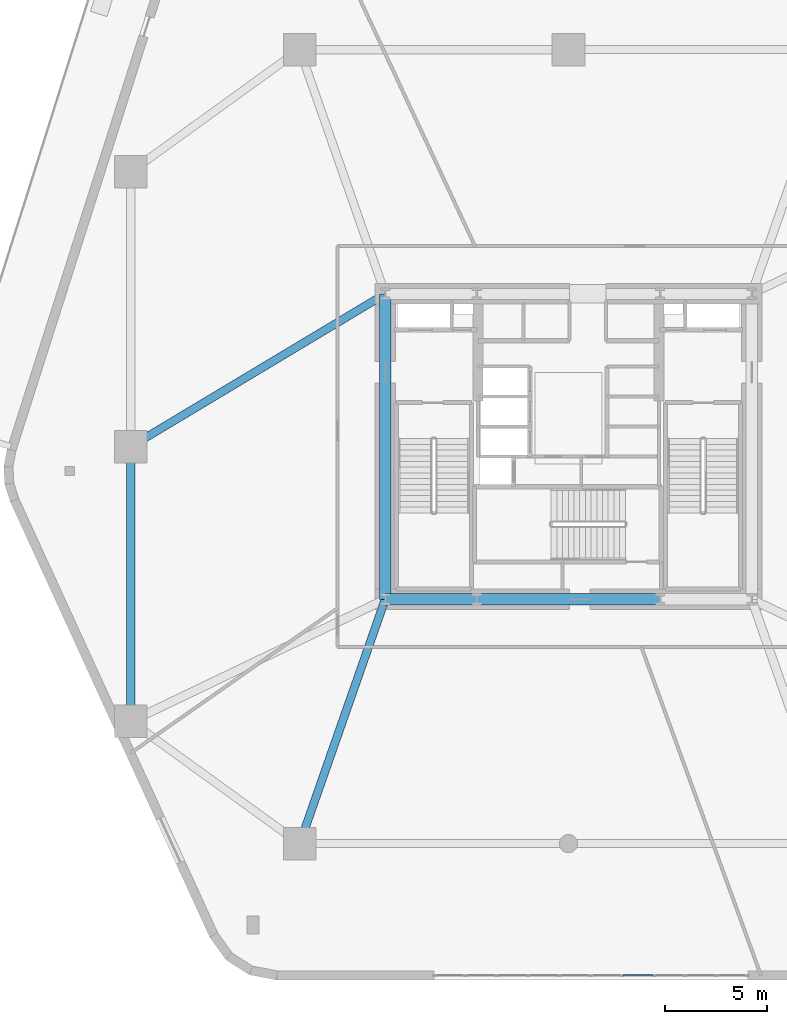
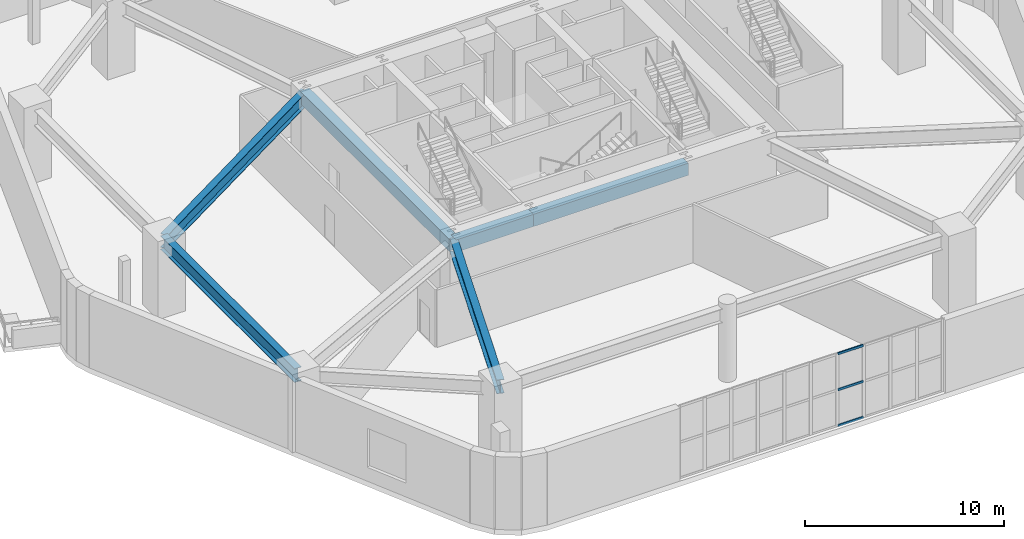
# One storey, part 4 of 15: 6 beams, 3 members, 1 element without a shape of its own.
"""IFC4 building model written with IfcOpenShell, lengths in metres."""

from ifc_helpers import new_model, si_unit, direction, frame, origin, origin_2d, place, context, subcontext, project, spatial, rectangle, hollow_rectangle, i_section, extrude, material, layer, layer_set, material_profile, profile_set, type_object, element, aggregate, save


model = new_model("IFC4")

# Units and contexts
model_context = context("Model", 3, precision=1e-05, world=origin(), true_north=direction((0.0, 1.0)))
body_context = subcontext(model_context, "Body", "Model", "MODEL_VIEW")
ifc_project = project(units=[si_unit("LENGTHUNIT", "METRE"), si_unit("AREAUNIT", "SQUARE_METRE"), si_unit("VOLUMEUNIT", "CUBIC_METRE"), si_unit("PLANEANGLEUNIT", "RADIAN"), si_unit("MASSUNIT", "GRAM", prefix="KILO")], contexts=[model_context])

# Site, building, storey
site_placement = place(None, origin())
site = spatial("IfcSite", under=ifc_project, at=site_placement, CompositionType="ELEMENT")
building_placement = place(site_placement, origin())
building = spatial("IfcBuilding", under=site, at=building_placement, Name="Kilnhurst Terrace Hotel", CompositionType="ELEMENT")
storey_placement = place(building_placement, frame((0.0, 0.0, 23.39990234375)))
storey = spatial("IfcBuildingStorey", under=building, at=storey_placement, Name="L04", CompositionType="ELEMENT", Elevation=23.39990234375)

# Beams
ifc_material_1 = material(Name="Concrete C50/60", Category="concrete")
ifc_material_profile_1 = material_profile(ifc_material_1, rectangle(XDim=0.550048828125, YDim=0.75, at=origin_2d()), Name="RC550X750")
ifc_profile_set_1 = profile_set([ifc_material_profile_1], Name="Concrete C50/60")
beam_type_1 = type_object("IfcBeamType", Name="BM-SPN-550X750", PredefinedType="SPANDREL", material=ifc_profile_set_1)
beam_1_placement = place(storey_placement, frame((-9.0, -7.5, 4.10498046875), z_axis=(1.0, 0.0, 0.0), x_axis=(0.0, 1.0, 0.0)))
element("IfcBeam", 1, at=beam_1_placement, inside=storey, type_object=beam_type_1, Name="L04 Core Tie Beam CC-SW to CC-SC1", PredefinedType="SPANDREL", context=body_context, shape_type="SweptSolid", body=[
    extrude(rectangle(XDim=0.550048828125, YDim=0.75, at=origin_2d()), origin(), (0.0, 0.0, 1.0), 4.5),
])
beam_2_placement = place(storey_placement, frame((-4.5, -7.5, 4.10498046875), z_axis=(1.0, 0.0, 0.0), x_axis=(0.0, 1.0, 0.0)))
element("IfcBeam", 2, at=beam_2_placement, inside=storey, type_object=beam_type_1, Name="L04 Core Tie Beam CC-SC1 to CC-SC2", PredefinedType="SPANDREL", context=body_context, shape_type="SweptSolid", body=[
    extrude(rectangle(XDim=0.550048828125, YDim=0.75, at=origin_2d()), origin(), (0.0, 0.0, 1.0), 9.0),
])
beam_3_placement = place(storey_placement, frame((-9.0, -7.5, 4.10498046875), z_axis=(0.0, 1.0, 0.0), x_axis=(-1.0, 0.0, 0.0)))
element("IfcBeam", 3, at=beam_3_placement, inside=storey, type_object=beam_type_1, Name="L04 Core Tie Beam CC-SW to CC-NW", PredefinedType="SPANDREL", context=body_context, shape_type="SweptSolid", body=[
    extrude(rectangle(XDim=0.550048828125, YDim=0.75, at=origin_2d()), origin(), (0.0, 0.0, 1.0), 15.0),
])
ifc_material_2 = material(Name="Steel ASTM A992 Grade 50", Category="steel")
ifc_material_profile_2 = material_profile(ifc_material_2, i_section(OverallWidth=0.39990234375, OverallDepth=0.85546875, WebThickness=0.018310546875, FlangeThickness=0.029296875, at=origin_2d()), Name="W33X201")
ifc_profile_set_2 = profile_set([ifc_material_profile_2], Name="Steel ASTM A992 Grade 50")
beam_type_2 = type_object("IfcBeamType", Name="BM-STL-W33X201", PredefinedType="BEAM", material=ifc_profile_set_2)
beam_4_placement = place(storey_placement, frame((-21.5, -13.5, 4.052001953125), z_axis=(0.0, 1.0, 0.0), x_axis=(-1.0, 0.0, 0.0)))
element("IfcBeam", 4, at=beam_4_placement, inside=storey, type_object=beam_type_2, Name="L04 Podium Frame Beam 1", PredefinedType="BEAM", context=body_context, shape_type="SweptSolid", body=[
    extrude(i_section(OverallWidth=0.39990234375, OverallDepth=0.85546875, WebThickness=0.018310546875, FlangeThickness=0.029296875, at=origin_2d()), origin(), (0.0, 0.0, 1.0), 13.5),
])
beam_5_placement = place(storey_placement, frame((-21.5, 0.0, 4.052001953125), z_axis=(0.857492925713, 0.514495755428, 0.0), x_axis=(-0.514495755428, 0.857492925713, 0.0)))
element("IfcBeam", 5, at=beam_5_placement, inside=storey, type_object=beam_type_2, Name="L04 Podium Frame Beam 9", PredefinedType="BEAM", context=body_context, shape_type="SweptSolid", body=[
    extrude(i_section(OverallWidth=0.39990234375, OverallDepth=0.85546875, WebThickness=0.018310546875, FlangeThickness=0.029296875, at=origin_2d()), origin(), (0.0, 0.0, 1.0), 14.577392578125),
])
beam_6_placement = place(storey_placement, frame((-13.199951171875, -19.5, 4.052001953125), z_axis=(0.330347003279, 0.943859553866, 0.0), x_axis=(-0.943859553866, 0.330347003279, 0.0)))
element("IfcBeam", 6, at=beam_6_placement, inside=storey, type_object=beam_type_2, Name="L04 Podium Frame Beam 15", PredefinedType="BEAM", context=body_context, shape_type="SweptSolid", body=[
    extrude(i_section(OverallWidth=0.39990234375, OverallDepth=0.85546875, WebThickness=0.018310546875, FlangeThickness=0.029296875, at=origin_2d()), origin(), (0.0, 0.0, 1.0), 12.7138671875),
])

# Curtain wall, members
ifc_material_3 = material(Name="Anodized Aluminium Alloy 6063-T6 and Low-E Glass", Category="aluminium")
ifc_layer = layer(ifc_material_3, 0.219970703125, Name="Anodized Aluminium Alloy 6063-T6 and Low-E Glass")
ifc_layer_set = layer_set([ifc_layer], Name="Anodized Aluminium Alloy 6063-T6 and Low-E Glass")
curtain_wall_type = type_object("IfcCurtainWallType", Name="CW-POD-TERR", PredefinedType="NOTDEFINED", material=ifc_layer_set)
curtain_wall_placement = place(storey_placement, origin())
curtain_wall = element("IfcCurtainWall", 7, at=curtain_wall_placement, inside=storey, type_object=curtain_wall_type, Name="L04 Curtain Wall CW-L04-F1-1", PredefinedType="NOTDEFINED")
ifc_material_4 = material(Name="Extruded Aluminium Alloy 6063-T6", Category="aluminium")
ifc_material_profile_3 = material_profile(ifc_material_4, hollow_rectangle(XDim=0.070068359375, YDim=0.135009765625, WallThickness=0.00390625, at=origin_2d()), Name="CWT70X135")
ifc_profile_set_3 = profile_set([ifc_material_profile_3], Name="Extruded Aluminium Alloy 6063-T6")
member_type = type_object("IfcMemberType", Name="MEM-CWT70X135", PredefinedType="USERDEFINED", material=ifc_profile_set_3)
member_1_placement = place(storey_placement, frame((2.676513671875, -25.97509765625, 0.03515625), z_axis=(1.0, 0.0, 0.0), x_axis=(0.0, 1.0, 0.0)))
member_1 = element("IfcMember", 8, at=member_1_placement, type_object=member_type, Name="CWT-2 transom 7.1", ObjectType="TRANSOM", PredefinedType="USERDEFINED", context=body_context, shape_type="SweptSolid", body=[
    extrude(hollow_rectangle(XDim=0.070068359375, YDim=0.135009765625, WallThickness=0.00390625, at=origin_2d()), origin(), (0.0, 0.0, 1.0), 1.47265625),
])
member_2_placement = place(storey_placement, frame((2.676513671875, -25.97509765625, 2.239990234375), z_axis=(1.0, 0.0, 0.0), x_axis=(0.0, 1.0, 0.0)))
member_2 = element("IfcMember", 9, at=member_2_placement, type_object=member_type, Name="CWT-2 transom 7.2", ObjectType="TRANSOM", PredefinedType="USERDEFINED", context=body_context, shape_type="SweptSolid", body=[
    extrude(hollow_rectangle(XDim=0.070068359375, YDim=0.135009765625, WallThickness=0.00390625, at=origin_2d()), origin(), (0.0, 0.0, 1.0), 1.47265625),
])
member_3_placement = place(storey_placement, frame((2.676513671875, -25.97509765625, 4.445068359375), z_axis=(1.0, 0.0, 0.0), x_axis=(0.0, 1.0, 0.0)))
member_3 = element("IfcMember", 10, at=member_3_placement, type_object=member_type, Name="CWT-2 transom 7.3", ObjectType="TRANSOM", PredefinedType="USERDEFINED", context=body_context, shape_type="SweptSolid", body=[
    extrude(hollow_rectangle(XDim=0.070068359375, YDim=0.135009765625, WallThickness=0.00390625, at=origin_2d()), origin(), (0.0, 0.0, 1.0), 1.47265625),
])
aggregate(curtain_wall, [member_1, member_2, member_3])

save(model, "model.ifc")
